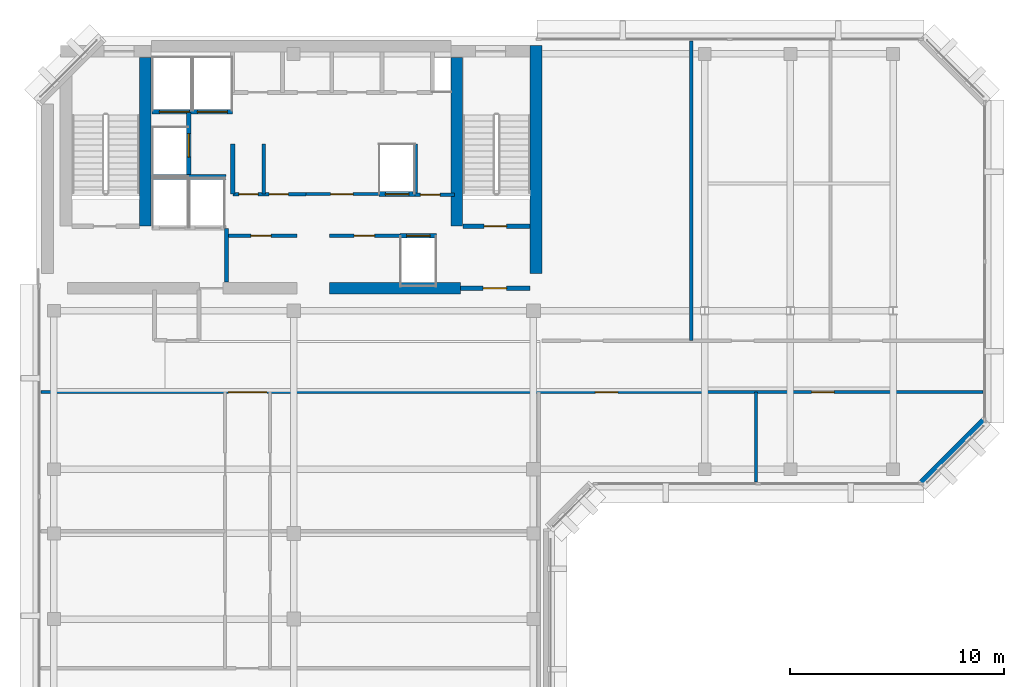
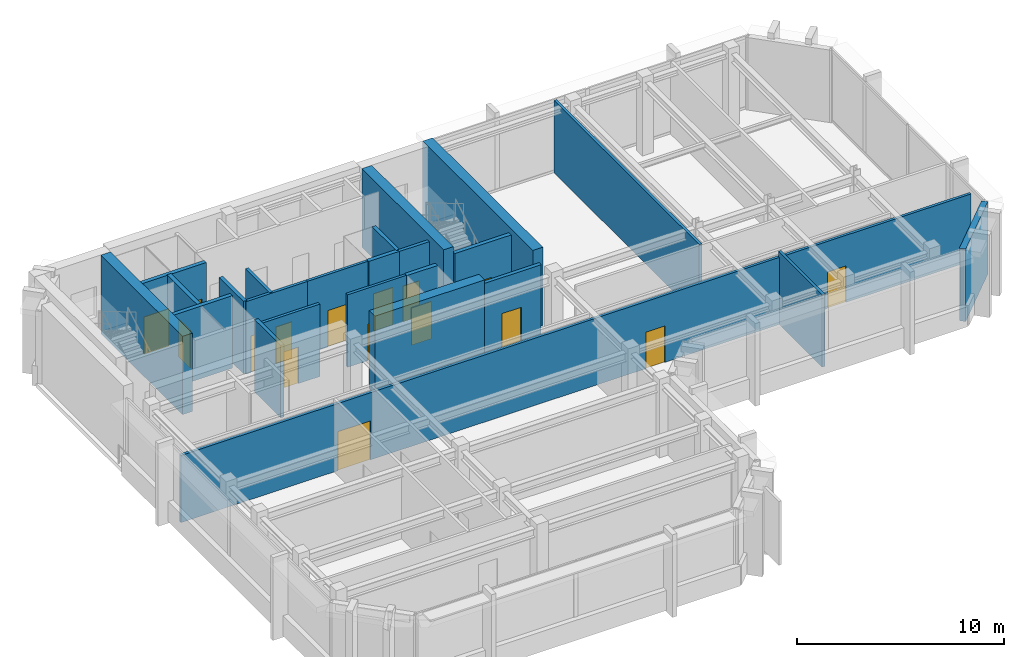
# One storey, part 5 of 9: 24 walls, 16 doors, 16 openings.
"""IFC4 building model written with IfcOpenShell, lengths in metres."""

from ifc_helpers import new_model, si_unit, direction, frame, frame_2d, origin, place, context, subcontext, project, spatial, rectangle, extrude, material, layer, layer_set, type_object, element, fill, save


model = new_model("IFC4")

# Units and contexts
model_context = context("Model", 3, precision=1e-05, world=origin(), true_north=direction((0.0, 1.0)))
body_context = subcontext(model_context, "Body", "Model", "MODEL_VIEW")
ifc_project = project(units=[si_unit("LENGTHUNIT", "METRE"), si_unit("AREAUNIT", "SQUARE_METRE"), si_unit("VOLUMEUNIT", "CUBIC_METRE"), si_unit("PLANEANGLEUNIT", "RADIAN"), si_unit("MASSUNIT", "GRAM", prefix="KILO")], contexts=[model_context])

# Site, building, storey
site_placement = place(None, origin())
site = spatial("IfcSite", under=ifc_project, at=site_placement, CompositionType="ELEMENT")
building_placement = place(site_placement, origin())
building = spatial("IfcBuilding", under=site, at=building_placement, Name="Kefirva Bronze Tower", CompositionType="ELEMENT")
storey_placement = place(building_placement, frame((0.0, 0.0, 361.35009765625)))
storey = spatial("IfcBuildingStorey", under=building, at=storey_placement, Name="L88", CompositionType="ELEMENT", Elevation=361.35009765625)

# Wall, opening, door
ifc_material_1 = material(Name="Gypsum acoustic partition")
ifc_layer_1 = layer(ifc_material_1, 0.14990234375, Name="Gypsum acoustic partition")
ifc_layer_set_1 = layer_set([ifc_layer_1], Name="Gypsum acoustic partition")
wall_type_1 = type_object("IfcWallType", Name="Executive Suite Partition 150mm", PredefinedType="PARTITIONING", material=ifc_layer_set_1)
wall_1_placement = place(storey_placement, frame((13.679931640625, 36.699951171875, 0.0), z_axis=(0.0, 0.0, 1.0), x_axis=(1.0, 0.0, 0.0)))
wall_1 = element("IfcWall", 1, at=wall_1_placement, inside=storey, type_object=wall_type_1, Name="L88 Partition W-L88-RECMP1", PredefinedType="PARTITIONING", context=body_context, shape_type="SweptSolid", body=[
    extrude(rectangle(XDim=3.280029296875, YDim=0.14990234375, at=frame_2d((1.64013671875, 0.0))), origin(), (0.0, 0.0, 1.0), 4.27001953125),
])
opening_1_placement = place(wall_1_placement, frame((1.14990234375, 0.0, 0.0)))
opening_1 = element("IfcOpeningElement", 2, at=opening_1_placement, cuts=wall_1, Name="Opening L88-D-RECMP1", PredefinedType="OPENING", context=body_context, shape_type="SweptSolid", body=[
    extrude(rectangle(XDim=0.949951171875, YDim=2.14990234375, at=frame_2d((0.47509765625, 1.074951171875))), frame((0.0, 0.0849609375, 0.0), z_axis=(0.0, -1.0, 0.0), x_axis=(1.0, 0.0, 0.0)), (0.0, 0.0, 1.0), 0.169921875),
])
ifc_material_2 = material(Name="Acoustic hardwood oak", Category="wood")
door_type_1 = type_object("IfcDoorType", Name="Office & Meeting Room Door 950x2150", OperationType="NOTDEFINED", PredefinedType="DOOR", material=ifc_material_2)
door_1_placement = place(opening_1_placement, origin())
door_1 = element("IfcDoor", 3, at=door_1_placement, inside=storey, type_object=door_type_1, Name="Door L88-D-RECMP1", OperationType="SINGLE_SWING_LEFT", OverallHeight=2.14990234375, OverallWidth=0.949951171875, PredefinedType="DOOR", context=body_context, shape_type="SweptSolid", body=[
    extrude(rectangle(XDim=0.949951171875, YDim=2.14990234375, at=frame_2d((0.47509765625, 1.074951171875))), frame((0.0, 0.02490234375, 0.0), z_axis=(0.0, -1.0, 0.0), x_axis=(1.0, 0.0, 0.0)), (0.0, 0.0, 1.0), 0.050048828125),
])
fill(opening_1, door_1)

wall_2_placement = place(storey_placement, frame((12.580078125, 38.64990234375, 0.0), z_axis=(0.0, 0.0, 1.0), x_axis=(1.0, 0.0, 0.0)))
wall_2 = element("IfcWall", 4, at=wall_2_placement, inside=storey, type_object=wall_type_1, Name="L88 Partition W-L88-RECMP2", PredefinedType="PARTITIONING", context=body_context, shape_type="SweptSolid", body=[
    extrude(rectangle(XDim=3.3798828125, YDim=0.14990234375, at=frame_2d((1.68994140625, 0.0))), origin(), (0.0, 0.0, 1.0), 4.27001953125),
])
opening_2_placement = place(wall_2_placement, frame((2.199951171875, 0.0, 0.0), z_axis=(0.0, 0.0, 1.0), x_axis=(-1.0, 0.0, 0.0)))
opening_2 = element("IfcOpeningElement", 5, at=opening_2_placement, cuts=wall_2, Name="Opening L88-D-RECMP2", PredefinedType="OPENING", context=body_context, shape_type="SweptSolid", body=[
    extrude(rectangle(XDim=1.050048828125, YDim=2.14990234375, at=frame_2d((0.52490234375, 1.074951171875))), frame((0.0, 0.0849609375, 0.0), z_axis=(0.0, -1.0, 0.0), x_axis=(1.0, 0.0, 0.0)), (0.0, 0.0, 1.0), 0.169921875),
])
door_type_2 = type_object("IfcDoorType", Name="Executive & Boardroom Door 1050x2150", OperationType="NOTDEFINED", PredefinedType="DOOR", material=ifc_material_2)
door_2_placement = place(opening_2_placement, origin())
door_2 = element("IfcDoor", 6, at=door_2_placement, inside=storey, type_object=door_type_2, Name="Door L88-D-RECMP2", OperationType="SINGLE_SWING_RIGHT", OverallHeight=2.14990234375, OverallWidth=1.050048828125, PredefinedType="DOOR", context=body_context, shape_type="SweptSolid", body=[
    extrude(rectangle(XDim=1.050048828125, YDim=2.14990234375, at=frame_2d((0.52490234375, 1.074951171875))), frame((0.0, 0.02490234375, 0.0), z_axis=(0.0, -1.0, 0.0), x_axis=(1.0, 0.0, 0.0)), (0.0, 0.0, 1.0), 0.050048828125),
])
fill(opening_2, door_2)

# Wall, openings, doors
wall_3_placement = place(storey_placement, frame((0.18994140625, 29.39990234375, 0.0), z_axis=(0.0, 0.0, 1.0), x_axis=(1.0, 0.0, 0.0)))
wall_3 = element("IfcWall", 7, at=wall_3_placement, inside=storey, type_object=wall_type_1, Name="L88 Partition W-L88-LKS", PredefinedType="PARTITIONING", context=body_context, shape_type="SweptSolid", body=[
    extrude(rectangle(XDim=44.02001953125, YDim=0.14990234375, at=frame_2d((22.010009765625, 0.0))), origin(), (0.0, 0.0, 1.0), 3.954833984375),
])
opening_3_placement = place(wall_3_placement, frame((8.760009765625, 0.0, 0.0)))
opening_3 = element("IfcOpeningElement", 8, at=opening_3_placement, cuts=wall_3, Name="Opening L88-D-SMSP", PredefinedType="OPENING", context=body_context, shape_type="SweptSolid", body=[
    extrude(rectangle(XDim=1.800048828125, YDim=2.300048828125, at=frame_2d((0.89990234375, 1.14990234375))), frame((0.0, 0.0849609375, 0.0), z_axis=(0.0, -1.0, 0.0), x_axis=(1.0, 0.0, 0.0)), (0.0, 0.0, 1.0), 0.169921875),
])
opening_4_placement = place(wall_3_placement, frame((25.909912109375, 0.0, 0.0)))
opening_4 = element("IfcOpeningElement", 9, at=opening_4_placement, cuts=wall_3, Name="Opening L88-D-SM4", PredefinedType="OPENING", context=body_context, shape_type="SweptSolid", body=[
    extrude(rectangle(XDim=1.050048828125, YDim=2.14990234375, at=frame_2d((0.52490234375, 1.074951171875))), frame((0.0, 0.0849609375, 0.0), z_axis=(0.0, -1.0, 0.0), x_axis=(1.0, 0.0, 0.0)), (0.0, 0.0, 1.0), 0.169921875),
])
opening_5_placement = place(wall_3_placement, frame((36.010009765625, 0.0, 0.0)))
opening_5 = element("IfcOpeningElement", 10, at=opening_5_placement, cuts=wall_3, Name="Opening L88-D-SM5", PredefinedType="OPENING", context=body_context, shape_type="SweptSolid", body=[
    extrude(rectangle(XDim=1.050048828125, YDim=2.14990234375, at=frame_2d((0.52490234375, 1.074951171875))), frame((0.0, 0.0849609375, 0.0), z_axis=(0.0, -1.0, 0.0), x_axis=(1.0, 0.0, 0.0)), (0.0, 0.0, 1.0), 0.169921875),
])
door_type_3 = type_object("IfcDoorType", Name="Auditorium & Dining Double Door 1800x2300", OperationType="DOUBLE_DOOR_SINGLE_SWING", PredefinedType="DOOR", material=ifc_material_2)
door_3_placement = place(opening_3_placement, origin())
door_3 = element("IfcDoor", 11, at=door_3_placement, inside=storey, type_object=door_type_3, Name="Door L88-D-SMSP", OperationType="SINGLE_SWING_LEFT", OverallHeight=2.300048828125, OverallWidth=1.800048828125, PredefinedType="DOOR", context=body_context, shape_type="SweptSolid", body=[
    extrude(rectangle(XDim=1.800048828125, YDim=2.300048828125, at=frame_2d((0.89990234375, 1.14990234375))), frame((0.0, 0.02490234375, 0.0), z_axis=(0.0, -1.0, 0.0), x_axis=(1.0, 0.0, 0.0)), (0.0, 0.0, 1.0), 0.050048828125),
])
fill(opening_3, door_3)
door_4_placement = place(opening_4_placement, origin())
door_4 = element("IfcDoor", 12, at=door_4_placement, inside=storey, type_object=door_type_2, Name="Door L88-D-SM4", OperationType="SINGLE_SWING_LEFT", OverallHeight=2.14990234375, OverallWidth=1.050048828125, PredefinedType="DOOR", context=body_context, shape_type="SweptSolid", body=[
    extrude(rectangle(XDim=1.050048828125, YDim=2.14990234375, at=frame_2d((0.52490234375, 1.074951171875))), frame((0.0, 0.02490234375, 0.0), z_axis=(0.0, -1.0, 0.0), x_axis=(1.0, 0.0, 0.0)), (0.0, 0.0, 1.0), 0.050048828125),
])
fill(opening_4, door_4)
door_5_placement = place(opening_5_placement, origin())
door_5 = element("IfcDoor", 13, at=door_5_placement, inside=storey, type_object=door_type_2, Name="Door L88-D-SM5", OperationType="SINGLE_SWING_RIGHT", OverallHeight=2.14990234375, OverallWidth=1.050048828125, PredefinedType="DOOR", context=body_context, shape_type="SweptSolid", body=[
    extrude(rectangle(XDim=1.050048828125, YDim=2.14990234375, at=frame_2d((0.52490234375, 1.074951171875))), frame((0.0, 0.02490234375, 0.0), z_axis=(0.0, -1.0, 0.0), x_axis=(1.0, 0.0, 0.0)), (0.0, 0.0, 1.0), 0.050048828125),
])
fill(opening_5, door_5)

# Walls
wall_4_placement = place(storey_placement, frame((33.60009765625, 25.18994140625, 0.0), z_axis=(0.0, 0.0, 1.0), x_axis=(0.0, 1.0, 0.0)))
element("IfcWall", 14, at=wall_4_placement, inside=storey, type_object=wall_type_1, Name="L88 Partition W-L88-SMEWD", PredefinedType="PARTITIONING", context=body_context, shape_type="SweptSolid", body=[
    extrude(rectangle(XDim=4.2099609375, YDim=0.14990234375, at=frame_2d((2.10498046875, 0.0))), origin(), (0.0, 0.0, 1.0), 4.27001953125),
])
wall_5_placement = place(storey_placement, frame((30.570068359375, 31.800048828125, 0.0), z_axis=(0.0, 0.0, 1.0), x_axis=(0.0, 1.0, 0.0)))
element("IfcWall", 15, at=wall_5_placement, inside=storey, type_object=wall_type_1, Name="L88 Partition W-L88-SMND1", PredefinedType="PARTITIONING", context=body_context, shape_type="SweptSolid", body=[
    extrude(rectangle(XDim=14.010009765625, YDim=0.14990234375, at=frame_2d((7.0048828125, 0.0))), origin(), (0.0, 0.0, 1.0), 4.27001953125),
])

# Wall, opening, door
ifc_material_3 = material(Name="Gypsum fireboard shaftwall")
ifc_layer_2 = layer(ifc_material_3, 0.219970703125, Name="Gypsum fireboard shaftwall")
ifc_layer_set_2 = layer_set([ifc_layer_2], Name="Gypsum fireboard shaftwall")
wall_type_2 = type_object("IfcWallType", Name="Fire-Rated Shaft Enclosure Wall 220mm", PredefinedType="PARTITIONING", material=ifc_layer_set_2)
wall_6_placement = place(storey_placement, frame((19.89990234375, 37.14990234375, 0.0), z_axis=(0.0, 0.0, 1.0), x_axis=(1.0, 0.0, 0.0)))
wall_6 = element("IfcWall", 16, at=wall_6_placement, inside=storey, type_object=wall_type_2, Name="L88 Partition W-L88-ST2S", PredefinedType="PARTITIONING", context=body_context, shape_type="SweptSolid", body=[
    extrude(rectangle(XDim=3.150146484375, YDim=0.219970703125, at=frame_2d((1.5751953125, 0.0))), origin(), (0.0, 0.0, 1.0), 4.27001953125),
])
opening_6_placement = place(wall_6_placement, frame((2.050048828125, 0.0, 0.0), z_axis=(0.0, 0.0, 1.0), x_axis=(-1.0, 0.0, 0.0)))
opening_6 = element("IfcOpeningElement", 17, at=opening_6_placement, cuts=wall_6, Name="Opening L88-D003", PredefinedType="OPENING", context=body_context, shape_type="SweptSolid", body=[
    extrude(rectangle(XDim=1.050048828125, YDim=2.14990234375, at=frame_2d((0.52490234375, 1.074951171875))), frame((0.0, 0.1201171875, 0.0), z_axis=(0.0, -1.0, 0.0), x_axis=(1.0, 0.0, 0.0)), (0.0, 0.0, 1.0), 0.239990234375),
])
ifc_material_4 = material(Name="Painted galvanized steel", Category="steel")
door_type_4 = type_object("IfcDoorType", Name="Fire Stair Enclosure Door 1050x2150 FD90S", OperationType="NOTDEFINED", PredefinedType="DOOR", material=ifc_material_4)
door_6_placement = place(opening_6_placement, origin())
door_6 = element("IfcDoor", 18, at=door_6_placement, inside=storey, type_object=door_type_4, Name="Door L88-D003", OperationType="SINGLE_SWING_RIGHT", OverallHeight=2.14990234375, OverallWidth=1.050048828125, PredefinedType="DOOR", context=body_context, shape_type="SweptSolid", body=[
    extrude(rectangle(XDim=1.050048828125, YDim=2.14990234375, at=frame_2d((0.52490234375, 1.074951171875))), frame((0.0, 0.02490234375, 0.0), z_axis=(0.0, -1.0, 0.0), x_axis=(1.0, 0.0, 0.0)), (0.0, 0.0, 1.0), 0.050048828125),
])
fill(opening_6, door_6)

# Wall
wall_7_placement = place(storey_placement, frame((5.3798828125, 39.449951171875, 0.0), z_axis=(0.0, 0.0, 1.0), x_axis=(1.0, 0.0, 0.0)))
element("IfcWall", 19, at=wall_7_placement, inside=storey, type_object=wall_type_2, Name="L88 Partition W-L88-FFN", PredefinedType="PARTITIONING", context=body_context, shape_type="SweptSolid", body=[
    extrude(rectangle(XDim=3.460205078125, YDim=0.219970703125, at=frame_2d((1.72998046875, 0.0))), origin(), (0.0, 0.0, 1.0), 4.27001953125),
])

# Wall, openings, doors
wall_8_placement = place(storey_placement, frame((5.3798828125, 42.5, 0.0), z_axis=(0.0, 0.0, 1.0), x_axis=(1.0, 0.0, 0.0)))
wall_8 = element("IfcWall", 20, at=wall_8_placement, inside=storey, type_object=wall_type_2, Name="L88 Partition W-L88-SVS", PredefinedType="PARTITIONING", context=body_context, shape_type="SweptSolid", body=[
    extrude(rectangle(XDim=3.77001953125, YDim=0.219970703125, at=frame_2d((1.885009765625, 0.0))), origin(), (0.0, 0.0, 1.0), 4.27001953125),
])
opening_7_placement = place(wall_8_placement, frame((1.75, 0.0, 0.0), z_axis=(0.0, 0.0, 1.0), x_axis=(-1.0, 0.0, 0.0)))
opening_7 = element("IfcOpeningElement", 21, at=opening_7_placement, cuts=wall_8, Name="Opening L88-LD-SV1", PredefinedType="OPENING", context=body_context, shape_type="SweptSolid", body=[
    extrude(rectangle(XDim=1.39990234375, YDim=2.199951171875, at=frame_2d((0.699951171875, 1.10009765625))), frame((0.0, 0.1201171875, 0.0), z_axis=(0.0, -1.0, 0.0), x_axis=(1.0, 0.0, 0.0)), (0.0, 0.0, 1.0), 0.239990234375),
])
opening_8_placement = place(wall_8_placement, frame((3.52978515625, 0.0, 0.0), z_axis=(0.0, 0.0, 1.0), x_axis=(-1.0, 0.0, 0.0)))
opening_8 = element("IfcOpeningElement", 22, at=opening_8_placement, cuts=wall_8, Name="Opening L88-LD-SV2", PredefinedType="OPENING", context=body_context, shape_type="SweptSolid", body=[
    extrude(rectangle(XDim=1.39990234375, YDim=2.199951171875, at=frame_2d((0.699951171875, 1.10009765625))), frame((0.0, 0.1201171875, 0.0), z_axis=(0.0, -1.0, 0.0), x_axis=(1.0, 0.0, 0.0)), (0.0, 0.0, 1.0), 0.239990234375),
])
ifc_material_5 = material(Name="Stainless steel 316", Category="steel")
door_type_5 = type_object("IfcDoorType", Name="Goods Lift Bi-Parting Sliding Door 1400x2200", OperationType="SLIDING_TO_LEFT", PredefinedType="DOOR", material=ifc_material_5)
door_7_placement = place(opening_7_placement, origin())
door_7 = element("IfcDoor", 23, at=door_7_placement, inside=storey, type_object=door_type_5, Name="Door L88-LD-SV1", OperationType="SLIDING_TO_LEFT", OverallHeight=2.199951171875, OverallWidth=1.39990234375, PredefinedType="DOOR", context=body_context, shape_type="SweptSolid", body=[
    extrude(rectangle(XDim=1.39990234375, YDim=2.199951171875, at=frame_2d((0.699951171875, 1.10009765625))), frame((0.0, 0.02490234375, 0.0), z_axis=(0.0, -1.0, 0.0), x_axis=(1.0, 0.0, 0.0)), (0.0, 0.0, 1.0), 0.050048828125),
])
fill(opening_7, door_7)
door_8_placement = place(opening_8_placement, origin())
door_8 = element("IfcDoor", 24, at=door_8_placement, inside=storey, type_object=door_type_5, Name="Door L88-LD-SV2", OperationType="SLIDING_TO_LEFT", OverallHeight=2.199951171875, OverallWidth=1.39990234375, PredefinedType="DOOR", context=body_context, shape_type="SweptSolid", body=[
    extrude(rectangle(XDim=1.39990234375, YDim=2.199951171875, at=frame_2d((0.699951171875, 1.10009765625))), frame((0.0, 0.02490234375, 0.0), z_axis=(0.0, -1.0, 0.0), x_axis=(1.0, 0.0, 0.0)), (0.0, 0.0, 1.0), 0.050048828125),
])
fill(opening_8, door_8)

# Wall, opening, door
wall_9_placement = place(storey_placement, frame((7.10009765625, 39.52001953125, 0.0), z_axis=(0.0, 0.0, 1.0), x_axis=(0.0, 1.0, 0.0)))
wall_9 = element("IfcWall", 25, at=wall_9_placement, inside=storey, type_object=wall_type_2, Name="L88 Partition W-L88-HP3E", PredefinedType="PARTITIONING", context=body_context, shape_type="SweptSolid", body=[
    extrude(rectangle(XDim=2.929931640625, YDim=0.219970703125, at=frame_2d((1.46484375, 0.0))), origin(), (0.0, 0.0, 1.0), 4.27001953125),
])
opening_9_placement = place(wall_9_placement, frame((0.85009765625, 0.0, 0.0)))
opening_9 = element("IfcOpeningElement", 26, at=opening_9_placement, cuts=wall_9, Name="Opening L88-LD-HP3", PredefinedType="OPENING", context=body_context, shape_type="SweptSolid", body=[
    extrude(rectangle(XDim=1.10009765625, YDim=2.199951171875, at=frame_2d((0.550048828125, 1.10009765625))), frame((0.0, 0.1201171875, 0.0), z_axis=(0.0, -1.0, 0.0), x_axis=(1.0, 0.0, 0.0)), (0.0, 0.0, 1.0), 0.239990234375),
])
door_type_6 = type_object("IfcDoorType", Name="Passenger Lift Sliding Landing Door 1100x2200", OperationType="SLIDING_TO_LEFT", PredefinedType="DOOR", material=ifc_material_5)
door_9_placement = place(opening_9_placement, origin())
door_9 = element("IfcDoor", 27, at=door_9_placement, inside=storey, type_object=door_type_6, Name="Door L88-LD-HP3", OperationType="SLIDING_TO_LEFT", OverallHeight=2.199951171875, OverallWidth=1.10009765625, PredefinedType="DOOR", context=body_context, shape_type="SweptSolid", body=[
    extrude(rectangle(XDim=1.10009765625, YDim=2.199951171875, at=frame_2d((0.550048828125, 1.10009765625))), frame((0.0, 0.02490234375, 0.0), z_axis=(0.0, -1.0, 0.0), x_axis=(1.0, 0.0, 0.0)), (0.0, 0.0, 1.0), 0.050048828125),
])
fill(opening_9, door_9)

# Walls
for number, where, z_axis, x_axis, name in (
    (28, (9.159912109375, 38.64990234375, 0.0), (0.0, 0.0, 1.0), (0.0, 1.0, 0.0), "L88 Partition W-L88-LP3W"),
    (29, (17.679931640625, 38.64990234375, 0.0), (0.0, 0.0, 1.0), (0.0, 1.0, 0.0), "L88 Partition W-L88-HP2E"),
):
    element("IfcWall", number, at=place(storey_placement, frame(where, z_axis=z_axis, x_axis=x_axis)), inside=storey, type_object=wall_type_2, Name=name, PredefinedType="PARTITIONING", context=body_context, shape_type="SweptSolid", body=[
        extrude(rectangle(XDim=2.35009765625, YDim=0.199951171875, at=frame_2d((1.175048828125, 0.0))), origin(), (0.0, 0.0, 1.0), 4.27001953125),
    ])

# Wall, opening, door
wall_10_placement = place(storey_placement, frame((16.97998046875, 36.699951171875, 0.0), z_axis=(0.0, 0.0, 1.0), x_axis=(1.0, 0.0, 0.0)))
wall_10 = element("IfcWall", 30, at=wall_10_placement, inside=storey, type_object=wall_type_2, Name="L88 Partition W-L88-HPS", PredefinedType="PARTITIONING", context=body_context, shape_type="SweptSolid", body=[
    extrude(rectangle(XDim=1.699951171875, YDim=0.219970703125, at=frame_2d((0.85009765625, 0.0))), origin(), (0.0, 0.0, 1.0), 4.27001953125),
])
opening_10_placement = place(wall_10_placement, frame((0.300048828125, 0.0, 0.0)))
opening_10 = element("IfcOpeningElement", 31, at=opening_10_placement, cuts=wall_10, Name="Opening L88-LD-HP1", PredefinedType="OPENING", context=body_context, shape_type="SweptSolid", body=[
    extrude(rectangle(XDim=1.10009765625, YDim=2.199951171875, at=frame_2d((0.550048828125, 1.10009765625))), frame((0.0, 0.1201171875, 0.0), z_axis=(0.0, -1.0, 0.0), x_axis=(1.0, 0.0, 0.0)), (0.0, 0.0, 1.0), 0.239990234375),
])
door_10_placement = place(opening_10_placement, origin())
door_10 = element("IfcDoor", 32, at=door_10_placement, inside=storey, type_object=door_type_6, Name="Door L88-LD-HP1", OperationType="SLIDING_TO_LEFT", OverallHeight=2.199951171875, OverallWidth=1.10009765625, PredefinedType="DOOR", context=body_context, shape_type="SweptSolid", body=[
    extrude(rectangle(XDim=1.10009765625, YDim=2.199951171875, at=frame_2d((0.550048828125, 1.10009765625))), frame((0.0, 0.02490234375, 0.0), z_axis=(0.0, -1.0, 0.0), x_axis=(1.0, 0.0, 0.0)), (0.0, 0.0, 1.0), 0.050048828125),
])
fill(opening_10, door_10)

wall_11_placement = place(storey_placement, frame((15.97998046875, 38.64990234375, 0.0), z_axis=(0.0, 0.0, 1.0), x_axis=(1.0, 0.0, 0.0)))
wall_11 = element("IfcWall", 33, at=wall_11_placement, inside=storey, type_object=wall_type_2, Name="L88 Partition W-L88-HPN", PredefinedType="PARTITIONING", context=body_context, shape_type="SweptSolid", body=[
    extrude(rectangle(XDim=1.719970703125, YDim=0.219970703125, at=frame_2d((0.85986328125, 0.0))), origin(), (0.0, 0.0, 1.0), 4.27001953125),
])
opening_11_placement = place(wall_11_placement, frame((0.300048828125, 0.0, 0.0)))
opening_11 = element("IfcOpeningElement", 34, at=opening_11_placement, cuts=wall_11, Name="Opening L88-LD-HP2", PredefinedType="OPENING", context=body_context, shape_type="SweptSolid", body=[
    extrude(rectangle(XDim=1.10009765625, YDim=2.199951171875, at=frame_2d((0.550048828125, 1.10009765625))), frame((0.0, 0.1201171875, 0.0), z_axis=(0.0, -1.0, 0.0), x_axis=(1.0, 0.0, 0.0)), (0.0, 0.0, 1.0), 0.239990234375),
])
door_11_placement = place(opening_11_placement, origin())
door_11 = element("IfcDoor", 35, at=door_11_placement, inside=storey, type_object=door_type_6, Name="Door L88-LD-HP2", OperationType="SLIDING_TO_LEFT", OverallHeight=2.199951171875, OverallWidth=1.10009765625, PredefinedType="DOOR", context=body_context, shape_type="SweptSolid", body=[
    extrude(rectangle(XDim=1.10009765625, YDim=2.199951171875, at=frame_2d((0.550048828125, 1.10009765625))), frame((0.0, 0.02490234375, 0.0), z_axis=(0.0, -1.0, 0.0), x_axis=(1.0, 0.0, 0.0)), (0.0, 0.0, 1.0), 0.050048828125),
])
fill(opening_11, door_11)

# Wall
ifc_material_6 = material(Name="Gypsum fireboard barrier")
ifc_layer_3 = layer(ifc_material_6, 0.199951171875, Name="Gypsum fireboard barrier")
ifc_layer_set_3 = layer_set([ifc_layer_3], Name="Gypsum fireboard barrier")
wall_type_3 = type_object("IfcWallType", Name="Firefighting Lobby Barrier Wall 200mm", PredefinedType="PARTITIONING", material=ifc_layer_set_3)
wall_12_placement = place(storey_placement, frame((8.860107421875, 34.550048828125, 0.0), z_axis=(0.0, 0.0, 1.0), x_axis=(0.0, 1.0, 0.0)))
element("IfcWall", 36, at=wall_12_placement, inside=storey, type_object=wall_type_3, Name="L88 Partition W-L88-FFLE", PredefinedType="PARTITIONING", context=body_context, shape_type="SweptSolid", body=[
    extrude(rectangle(XDim=2.5, YDim=0.199951171875, at=frame_2d((1.25, 0.0))), origin(), (0.0, 0.0, 1.0), 4.27001953125),
])

# Wall, opening, door
wall_13_placement = place(storey_placement, frame((19.800048828125, 34.25, 0.0), z_axis=(0.0, 0.0, 1.0), x_axis=(1.0, 0.0, 0.0)))
wall_13 = element("IfcWall", 37, at=wall_13_placement, inside=storey, type_object=wall_type_3, Name="L88 Partition W-L88-ST2F", PredefinedType="PARTITIONING", context=body_context, shape_type="SweptSolid", body=[
    extrude(rectangle(XDim=3.25, YDim=0.199951171875, at=frame_2d((1.625, 0.0))), origin(), (0.0, 0.0, 1.0), 4.27001953125),
])
opening_12_placement = place(wall_13_placement, frame((2.150146484375, 0.0, 0.0), z_axis=(0.0, 0.0, 1.0), x_axis=(-1.0, 0.0, 0.0)))
opening_12 = element("IfcOpeningElement", 38, at=opening_12_placement, cuts=wall_13, Name="Opening L88-D004", PredefinedType="OPENING", context=body_context, shape_type="SweptSolid", body=[
    extrude(rectangle(XDim=1.10009765625, YDim=2.14990234375, at=frame_2d((0.550048828125, 1.074951171875))), frame((0.0, 0.10986328125, 0.0), z_axis=(0.0, -1.0, 0.0), x_axis=(1.0, 0.0, 0.0)), (0.0, 0.0, 1.0), 0.219970703125),
])
door_type_7 = type_object("IfcDoorType", Name="Firefighting Lobby Smoke Door 1100x2150 FD60S", OperationType="NOTDEFINED", PredefinedType="DOOR", material=ifc_material_4)
door_12_placement = place(opening_12_placement, origin())
door_12 = element("IfcDoor", 39, at=door_12_placement, inside=storey, type_object=door_type_7, Name="Door L88-D004", OperationType="SINGLE_SWING_LEFT", OverallHeight=2.14990234375, OverallWidth=1.10009765625, PredefinedType="DOOR", context=body_context, shape_type="SweptSolid", body=[
    extrude(rectangle(XDim=1.10009765625, YDim=2.14990234375, at=frame_2d((0.550048828125, 1.074951171875))), frame((0.0, 0.02490234375, 0.0), z_axis=(0.0, -1.0, 0.0), x_axis=(1.0, 0.0, 0.0)), (0.0, 0.0, 1.0), 0.050048828125),
])
fill(opening_12, door_12)

wall_14_placement = place(storey_placement, frame((17.679931640625, 38.6201171875, 0.0), z_axis=(0.0, 0.0, 1.0), x_axis=(1.0, 0.0, 0.0)))
wall_14 = element("IfcWall", 40, at=wall_14_placement, inside=storey, type_object=wall_type_3, Name="L88 Partition W-L88-CPASS", PredefinedType="PARTITIONING", context=body_context, shape_type="SweptSolid", body=[
    extrude(rectangle(XDim=1.840087890625, YDim=0.179931640625, at=frame_2d((0.919921875, 0.0))), origin(), (0.0, 0.0, 1.0), 4.27001953125),
])
opening_13_placement = place(wall_14_placement, frame((0.239990234375, 0.0, 0.0)))
opening_13 = element("IfcOpeningElement", 41, at=opening_13_placement, cuts=wall_14, Name="Opening L88-D-CPAS", PredefinedType="OPENING", context=body_context, shape_type="SweptSolid", body=[
    extrude(rectangle(XDim=0.919921875, YDim=2.10009765625, at=frame_2d((0.4599609375, 1.050048828125))), frame((0.0, 0.10009765625, 0.0), z_axis=(0.0, -1.0, 0.0), x_axis=(1.0, 0.0, 0.0)), (0.0, 0.0, 1.0), 0.199951171875),
])
ifc_material_7 = material(Name="Moisture-resistant timber", Category="wood")
door_type_8 = type_object("IfcDoorType", Name="Accessible Sanitary & WC Door 920x2100", OperationType="NOTDEFINED", PredefinedType="DOOR", material=ifc_material_7)
door_13_placement = place(opening_13_placement, origin())
door_13 = element("IfcDoor", 42, at=door_13_placement, inside=storey, type_object=door_type_8, Name="Door L88-D-CPAS", OperationType="SINGLE_SWING_RIGHT", OverallHeight=2.10009765625, OverallWidth=0.919921875, PredefinedType="DOOR", context=body_context, shape_type="SweptSolid", body=[
    extrude(rectangle(XDim=0.919921875, YDim=2.10009765625, at=frame_2d((0.4599609375, 1.050048828125))), frame((0.0, 0.02490234375, 0.0), z_axis=(0.0, -1.0, 0.0), x_axis=(1.0, 0.0, 0.0)), (0.0, 0.0, 1.0), 0.050048828125),
])
fill(opening_13, door_13)

# Wall
ifc_material_8 = material(Name="Precast concrete C40/50", Category="concrete")
ifc_layer_4 = layer(ifc_material_8, 0.320068359375, Name="Precast concrete C40/50")
ifc_layer_set_4 = layer_set([ifc_layer_4], Name="Precast concrete C40/50")
wall_type_4 = type_object("IfcWallType", Name="Precast Insulated Exterior Wall 320mm", PredefinedType="SOLIDWALL", material=ifc_layer_set_4)
wall_15_placement = place(storey_placement, frame((41.32568359375, 25.152099609375, 0.0), z_axis=(0.0, 0.0, 1.0), x_axis=(0.707136318428, 0.707077242712, 0.0)))
element("IfcWall", 43, at=wall_15_placement, inside=storey, type_object=wall_type_4, Name="L88 Exterior Facade Wall 4", PredefinedType="SOLIDWALL", context=body_context, shape_type="SweptSolid", body=[
    extrude(rectangle(XDim=4.132568359375, YDim=0.320068359375, at=frame_2d((2.06640625, 0.0))), origin(), (0.0, 0.0, 1.0), 4.27001953125),
])

# Wall, opening, door
ifc_layer_5 = layer(ifc_material_1, 0.159912109375, Name="Gypsum acoustic partition")
ifc_layer_set_5 = layer_set([ifc_layer_5], Name="Gypsum acoustic partition")
wall_type_5 = type_object("IfcWallType", Name="Protected Corridor Partition 160mm", PredefinedType="PARTITIONING", material=ifc_layer_set_5)
wall_16_placement = place(storey_placement, frame((8.89990234375, 36.699951171875, 0.0), z_axis=(0.0, 0.0, 1.0), x_axis=(1.0, 0.0, 0.0)))
wall_16 = element("IfcWall", 44, at=wall_16_placement, inside=storey, type_object=wall_type_5, Name="L88 Partition W-L88-RECLP1", PredefinedType="PARTITIONING", context=body_context, shape_type="SweptSolid", body=[
    extrude(rectangle(XDim=3.25, YDim=0.159912109375, at=frame_2d((1.625, 0.0))), origin(), (0.0, 0.0, 1.0), 4.27001953125),
])
opening_14_placement = place(wall_16_placement, frame((1.10009765625, 0.0, 0.0)))
opening_14 = element("IfcOpeningElement", 45, at=opening_14_placement, cuts=wall_16, Name="Opening L88-D-RECLP1", PredefinedType="OPENING", context=body_context, shape_type="SweptSolid", body=[
    extrude(rectangle(XDim=0.949951171875, YDim=2.14990234375, at=frame_2d((0.47509765625, 1.074951171875))), frame((0.0, 0.08984375, 0.0), z_axis=(0.0, -1.0, 0.0), x_axis=(1.0, 0.0, 0.0)), (0.0, 0.0, 1.0), 0.179931640625),
])
door_14_placement = place(opening_14_placement, origin())
door_14 = element("IfcDoor", 46, at=door_14_placement, inside=storey, type_object=door_type_1, Name="Door L88-D-RECLP1", OperationType="SINGLE_SWING_RIGHT", OverallHeight=2.14990234375, OverallWidth=0.949951171875, PredefinedType="DOOR", context=body_context, shape_type="SweptSolid", body=[
    extrude(rectangle(XDim=0.949951171875, YDim=2.14990234375, at=frame_2d((0.47509765625, 1.074951171875))), frame((0.0, 0.02490234375, 0.0), z_axis=(0.0, -1.0, 0.0), x_axis=(1.0, 0.0, 0.0)), (0.0, 0.0, 1.0), 0.050048828125),
])
fill(opening_14, door_14)

# Wall, openings, doors
wall_17_placement = place(storey_placement, frame((9.159912109375, 38.64990234375, 0.0), z_axis=(0.0, 0.0, 1.0), x_axis=(1.0, 0.0, 0.0)))
wall_17 = element("IfcWall", 47, at=wall_17_placement, inside=storey, type_object=wall_type_5, Name="L88 Partition W-L88-RECLP2", PredefinedType="PARTITIONING", context=body_context, shape_type="SweptSolid", body=[
    extrude(rectangle(XDim=3.420166015625, YDim=0.159912109375, at=frame_2d((1.7099609375, 0.0))), origin(), (0.0, 0.0, 1.0), 4.27001953125),
])
opening_15_placement = place(wall_17_placement, frame((1.179931640625, 0.0, 0.0), z_axis=(0.0, 0.0, 1.0), x_axis=(-1.0, 0.0, 0.0)))
opening_15 = element("IfcOpeningElement", 48, at=opening_15_placement, cuts=wall_17, Name="Opening L88-D-RECLP2A", PredefinedType="OPENING", context=body_context, shape_type="SweptSolid", body=[
    extrude(rectangle(XDim=0.89990234375, YDim=2.14990234375, at=frame_2d((0.449951171875, 1.074951171875))), frame((0.0, 0.08984375, 0.0), z_axis=(0.0, -1.0, 0.0), x_axis=(1.0, 0.0, 0.0)), (0.0, 0.0, 1.0), 0.179931640625),
])
opening_16_placement = place(wall_17_placement, frame((2.599853515625, 0.0, 0.0), z_axis=(0.0, 0.0, 1.0), x_axis=(-1.0, 0.0, 0.0)))
opening_16 = element("IfcOpeningElement", 49, at=opening_16_placement, cuts=wall_17, Name="Opening L88-D-RECLP2B", PredefinedType="OPENING", context=body_context, shape_type="SweptSolid", body=[
    extrude(rectangle(XDim=0.89990234375, YDim=2.14990234375, at=frame_2d((0.449951171875, 1.074951171875))), frame((0.0, 0.08984375, 0.0), z_axis=(0.0, -1.0, 0.0), x_axis=(1.0, 0.0, 0.0)), (0.0, 0.0, 1.0), 0.179931640625),
])
door_type_9 = type_object("IfcDoorType", Name="Core Archive & Server Fire Door 900x2150 FD60S", OperationType="NOTDEFINED", PredefinedType="DOOR", material=ifc_material_4)
door_15_placement = place(opening_15_placement, origin())
door_15 = element("IfcDoor", 50, at=door_15_placement, inside=storey, type_object=door_type_9, Name="Door L88-D-RECLP2A", OperationType="SINGLE_SWING_LEFT", OverallHeight=2.14990234375, OverallWidth=0.89990234375, PredefinedType="DOOR", context=body_context, shape_type="SweptSolid", body=[
    extrude(rectangle(XDim=0.89990234375, YDim=2.14990234375, at=frame_2d((0.449951171875, 1.074951171875))), frame((0.0, 0.02490234375, 0.0), z_axis=(0.0, -1.0, 0.0), x_axis=(1.0, 0.0, 0.0)), (0.0, 0.0, 1.0), 0.050048828125),
])
fill(opening_15, door_15)
door_16_placement = place(opening_16_placement, origin())
door_16 = element("IfcDoor", 51, at=door_16_placement, inside=storey, type_object=door_type_9, Name="Door L88-D-RECLP2B", OperationType="SINGLE_SWING_RIGHT", OverallHeight=2.14990234375, OverallWidth=0.89990234375, PredefinedType="DOOR", context=body_context, shape_type="SweptSolid", body=[
    extrude(rectangle(XDim=0.89990234375, YDim=2.14990234375, at=frame_2d((0.449951171875, 1.074951171875))), frame((0.0, 0.02490234375, 0.0), z_axis=(0.0, -1.0, 0.0), x_axis=(1.0, 0.0, 0.0)), (0.0, 0.0, 1.0), 0.050048828125),
])
fill(opening_16, door_16)

# Walls
wall_18_placement = place(storey_placement, frame((10.60009765625, 38.64990234375, 0.0), z_axis=(0.0, 0.0, 1.0), x_axis=(0.0, 1.0, 0.0)))
element("IfcWall", 52, at=wall_18_placement, inside=storey, type_object=wall_type_5, Name="L88 Partition W-L88-RECLP2D", PredefinedType="PARTITIONING", context=body_context, shape_type="SweptSolid", body=[
    extrude(rectangle(XDim=2.35009765625, YDim=0.159912109375, at=frame_2d((1.175048828125, 0.0))), origin(), (0.0, 0.0, 1.0), 4.27001953125),
])
ifc_material_9 = material(Name="Concrete C50/60", Category="concrete")
ifc_layer_6 = layer(ifc_material_9, 0.550048828125, Name="Concrete C50/60")
ifc_layer_set_6 = layer_set([ifc_layer_6], Name="Concrete C50/60")
wall_type_6 = type_object("IfcWallType", Name="RC Rear Core Interior Wall 550mm", PredefinedType="SHEAR", material=ifc_layer_set_6)
wall_19_placement = place(storey_placement, frame((23.324951171875, 34.949951171875, 0.0), z_axis=(0.0, 0.0, 1.0), x_axis=(0.0, 1.0, 0.0)))
element("IfcWall", 53, at=wall_19_placement, inside=storey, type_object=wall_type_6, Name="L88 Rear Core East Shear Wall", PredefinedType="SHEAR", context=body_context, shape_type="SweptSolid", body=[
    extrude(rectangle(XDim=10.64013671875, YDim=0.550048828125, at=frame_2d((5.320068359375, 0.0))), origin(), (0.0, 0.0, 1.0), 4.619873046875),
])
wall_20_placement = place(storey_placement, frame((13.679931640625, 34.25, 0.0), z_axis=(0.0, 0.0, 1.0), x_axis=(1.0, 0.0, 0.0)))
element("IfcWall", 54, at=wall_20_placement, inside=storey, type_object=wall_type_6, Name="L88 Rear Core South-East Shear Wall", PredefinedType="SHEAR", context=body_context, shape_type="SweptSolid", body=[
    extrude(rectangle(XDim=6.1201171875, YDim=0.550048828125, at=frame_2d((3.06005859375, 0.0))), origin(), (0.0, 0.0, 1.0), 4.619873046875),
])
for number, where, z_axis, x_axis, name in (
    (55, (5.070068359375, 37.14990234375, 0.0), (0.0, 0.0, 1.0), (0.0, 1.0, 0.0), "L88 Stair 1 East Shear Wall"),
    (56, (19.6201171875, 37.14990234375, 0.0), (0.0, 0.0, 1.0), (0.0, 1.0, 0.0), "L88 Stair 2 West Shear Wall"),
):
    element("IfcWall", number, at=place(storey_placement, frame(where, z_axis=z_axis, x_axis=x_axis)), inside=storey, type_object=wall_type_6, Name=name, PredefinedType="SHEAR", context=body_context, shape_type="SweptSolid", body=[
        extrude(rectangle(XDim=7.89013671875, YDim=0.550048828125, at=frame_2d((3.945068359375, 0.0))), origin(), (0.0, 0.0, 1.0), 4.619873046875),
    ])

save(model, "model.ifc")
